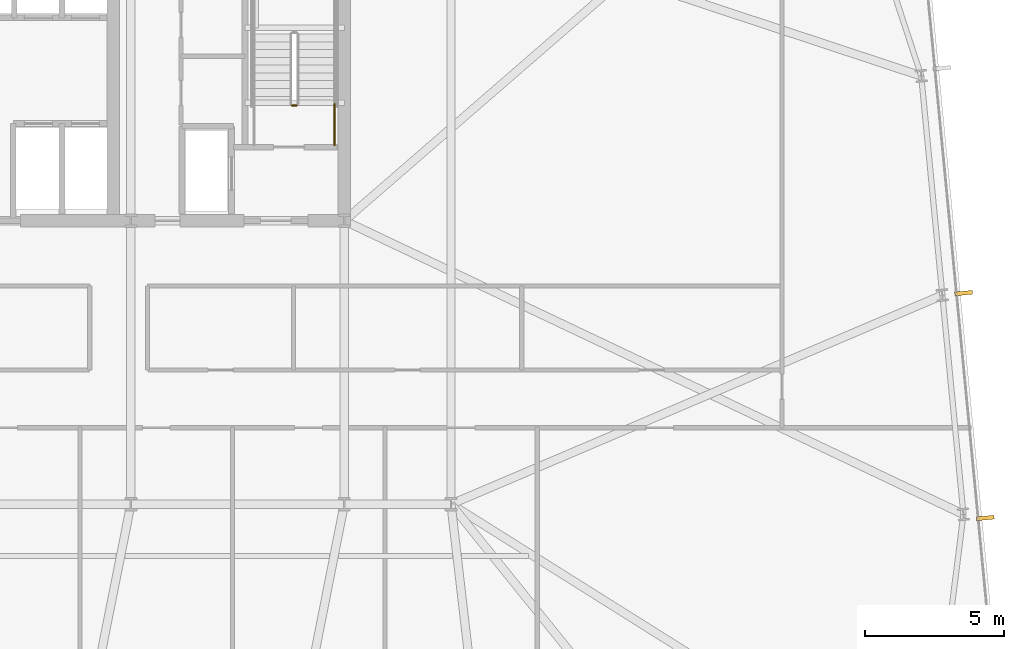
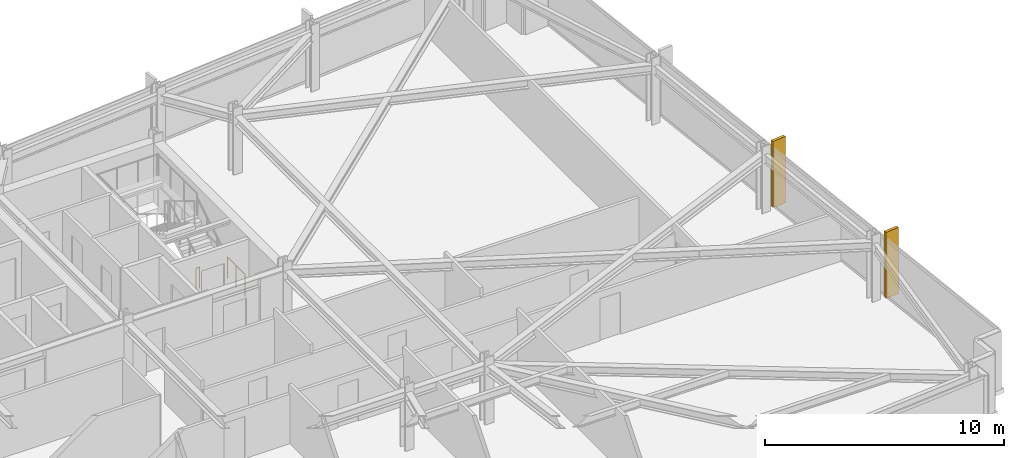
# One storey, part 30 of 32: 2 railings, 2 shading devices.
"""IFC4 building model written with IfcOpenShell, lengths in metres."""

from ifc_helpers import new_model, si_unit, direction, frame, origin, origin_2d, place, context, subcontext, project, spatial, rectangle, circle, extrude, material, layer, layer_set, type_object, element, save


model = new_model("IFC4")

# Units and contexts
model_context = context("Model", 3, precision=1e-05, world=origin(), true_north=direction((0.0, 1.0)))
body_context = subcontext(model_context, "Body", "Model", "MODEL_VIEW")
ifc_project = project(units=[si_unit("LENGTHUNIT", "METRE"), si_unit("AREAUNIT", "SQUARE_METRE"), si_unit("VOLUMEUNIT", "CUBIC_METRE"), si_unit("PLANEANGLEUNIT", "RADIAN"), si_unit("MASSUNIT", "GRAM", prefix="KILO")], contexts=[model_context])

# Site, building, storey
site_placement = place(None, origin())
site = spatial("IfcSite", under=ifc_project, at=site_placement, CompositionType="ELEMENT")
building_placement = place(site_placement, origin())
building = spatial("IfcBuilding", under=site, at=building_placement, Name="Yelkora Congress Tower", CompositionType="ELEMENT")
storey_placement = place(building_placement, frame((0.0, 0.0, 133.89990234375)))
storey = spatial("IfcBuildingStorey", under=building, at=storey_placement, Name="L36", CompositionType="ELEMENT", Elevation=133.89990234375)

# Railings
ifc_material_1 = material(Name="Painted galvanised steel stair well guard with vertical infill", Category="steel")
ifc_layer_1 = layer(ifc_material_1, 0.06005859375)
ifc_layer_set_1 = layer_set([ifc_layer_1], Name="Painted galvanised steel stair well guard with vertical infill")
railing_type = type_object("IfcRailingType", Name="RAIL-STAIR-GUARD-1120", PredefinedType="GUARDRAIL", material=ifc_layer_set_1)
railing_1_placement = place(storey_placement, frame((52.0400390625, 39.550048828125, 0.0)))
element("IfcRailing", 1, at=railing_1_placement, inside=storey, type_object=railing_type, Name="ST-02 L36 Stair Well Guardrail 7", PredefinedType="GUARDRAIL", context=body_context, shape_type="SweptSolid", body=[
    extrude(circle(Radius=0.02392578125, at=origin_2d()), frame((0.0, 0.0, 1.09619140625), z_axis=(-1.0, 0.0, 0.0), x_axis=(0.0, -1.0, 0.0)), (0.0, 0.0, 1.0), 0.16015625),
    extrude(circle(Radius=0.02099609375, at=origin_2d()), origin(), (0.0, 0.0, 1.0), 1.072021484375),
    extrude(circle(Radius=0.02099609375, at=origin_2d()), frame((-0.16015625, 0.0, 0.0)), (0.0, 0.0, 1.0), 1.072021484375),
])
railing_2_placement = place(storey_placement, frame((53.409912109375, 38.1201171875, 0.0)))
element("IfcRailing", 2, at=railing_2_placement, inside=storey, type_object=railing_type, Name="ST-02 L36 Stair Well Guardrail 8", PredefinedType="GUARDRAIL", context=body_context, shape_type="SweptSolid", body=[
    extrude(circle(Radius=0.02392578125, at=origin_2d()), frame((0.0, 0.0, 1.09619140625), z_axis=(0.0, 1.0, 0.0), x_axis=(-1.0, 0.0, 0.0)), (0.0, 0.0, 1.0), 1.47998046875),
    extrude(circle(Radius=0.02099609375, at=origin_2d()), origin(), (0.0, 0.0, 1.0), 1.072021484375),
    extrude(circle(Radius=0.02099609375, at=origin_2d()), frame((0.0, 0.739990234375, 0.0)), (0.0, 0.0, 1.0), 1.072021484375),
    extrude(circle(Radius=0.02099609375, at=origin_2d()), frame((0.0, 1.47998046875, 0.0)), (0.0, 0.0, 1.0), 1.072021484375),
])

# Shading devices
ifc_material_2 = material(Name="Champagne anodised aluminium", Category="aluminium")
ifc_layer_2 = layer(ifc_material_2, 3.39990234375)
ifc_layer_set_2 = layer_set([ifc_layer_2], Name="Champagne anodised aluminium")
shading_device_type = type_object("IfcShadingDeviceType", Name="SHD-FIN-ALU-640", PredefinedType="USERDEFINED", material=ifc_layer_set_2)
for number, where, z_axis, x_axis, name in (
    (3, (76.048095703125, 32.7958984375, -0.02978515625), (0.0, 0.0, 1.0), (0.09584575252, -0.995396198367, 0.0), "L36 Vertical Anodised Solar Fin 15-2"),
    (4, (76.827392578125, 24.703125, -0.02978515625), (0.0, 0.0, 1.0), (0.09584575252, -0.995396198367, 0.0), "L36 Vertical Anodised Solar Fin 15-3"),
):
    element("IfcShadingDevice", number, at=place(storey_placement, frame(where, z_axis=z_axis, x_axis=x_axis)), inside=storey, type_object=shading_device_type, Name=name, ObjectType="FIN", PredefinedType="USERDEFINED", context=body_context, shape_type="SweptSolid", body=[
        extrude(rectangle(XDim=0.139892578125, YDim=0.639892578125, at=origin_2d()), origin(), (0.0, 0.0, 1.0), 3.3798828125),
    ])

save(model, "model.ifc")
